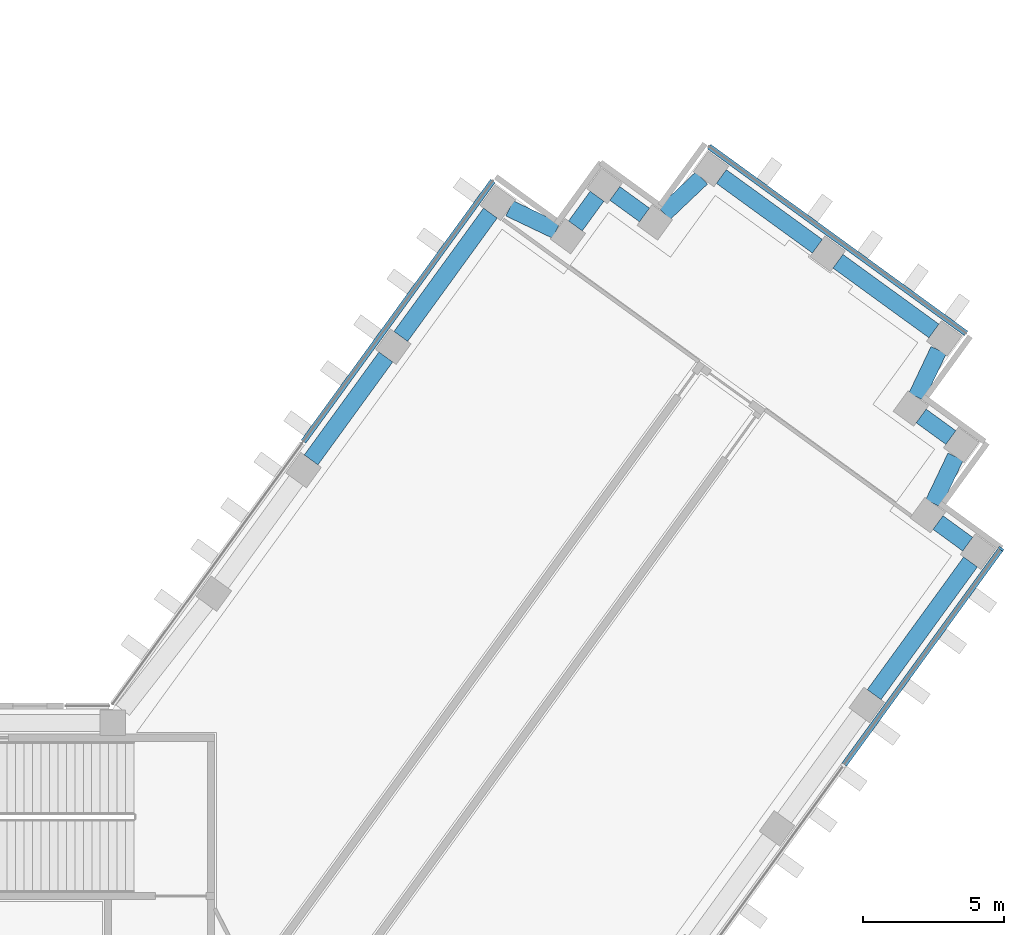
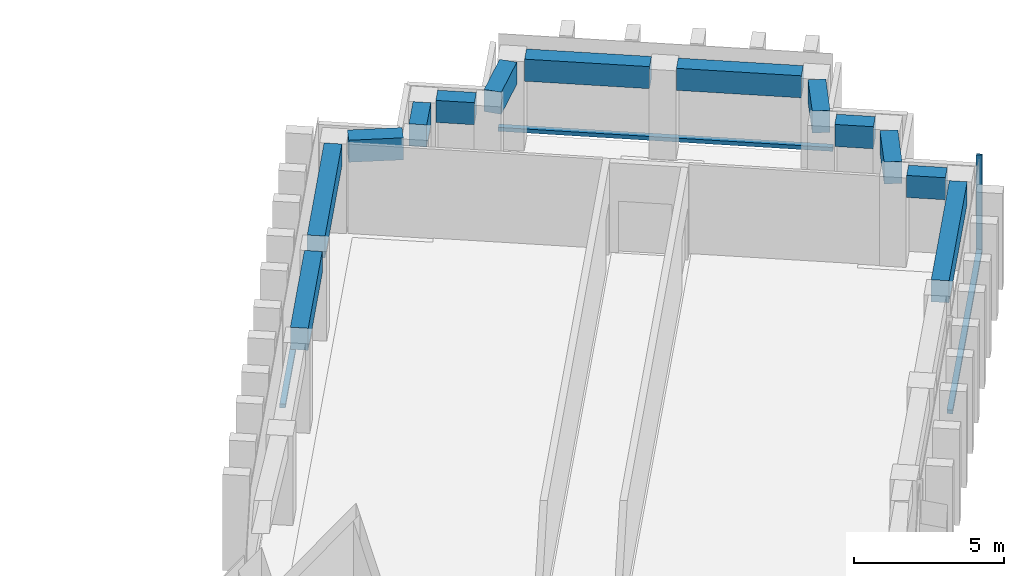
"""IFC4 building model written with IfcOpenShell, lengths in metres."""

from ifc_helpers import new_model, si_unit, direction, frame, origin, origin_2d, place, context, subcontext, project, spatial, rectangle, extrude, material, material_profile, profile_set, type_object, element, aggregate, save


model = new_model("IFC4")

# Units and contexts
model_context = context("Model", 3, precision=1e-05, world=origin(), true_north=direction((0.0, 1.0)))
body_context = subcontext(model_context, "Body", "Model", "MODEL_VIEW")
ifc_project = project(units=[si_unit("LENGTHUNIT", "METRE"), si_unit("AREAUNIT", "SQUARE_METRE"), si_unit("VOLUMEUNIT", "CUBIC_METRE"), si_unit("PLANEANGLEUNIT", "RADIAN"), si_unit("MASSUNIT", "GRAM", prefix="KILO")], contexts=[model_context])

# Site, building, storey
site_placement = place(None, origin())
site = spatial("IfcSite", under=ifc_project, at=site_placement, CompositionType="ELEMENT")
building_placement = place(site_placement, origin())
building = spatial("IfcBuilding", under=site, at=building_placement, Name="Quipu Civic Tower", CompositionType="ELEMENT")
storey_1_placement = place(building_placement, frame((0.0, 0.0, 85.0)))
storey_1 = spatial("IfcBuildingStorey", under=building, at=storey_1_placement, Name="L19", CompositionType="ELEMENT", Elevation=85.0)

# Curtain wall, member
ifc_material_1 = material(Name="Insulated glass unit", Category="glass")
curtain_wall_type = type_object("IfcCurtainWallType", Name="Office curtain wall CW1", PredefinedType="NOTDEFINED", material=ifc_material_1)
curtain_wall_1_placement = place(storey_1_placement, origin())
curtain_wall_1 = element("IfcCurtainWall", 1, at=curtain_wall_1_placement, inside=storey_1, type_object=curtain_wall_type, Name="Office curtain wall CW1 L19 run 1", PredefinedType="NOTDEFINED")
ifc_material_2 = material(Name="Anodised aluminium", Category="aluminium")
ifc_material_profile_1 = material_profile(ifc_material_2, rectangle(XDim=0.199951171875, YDim=0.080078125, at=origin_2d()), Name="RECT 200x80")
ifc_profile_set_1 = profile_set([ifc_material_profile_1], Name="Anodised aluminium")
member_type_1 = type_object("IfcMemberType", Name="Mullion CW1", PredefinedType="MULLION", material=ifc_profile_set_1)
member_1_placement = place(storey_1_placement, frame((45.825927734375, 16.661865234375, 0.080078125), z_axis=(0.0, 0.0, 1.0), x_axis=(-0.809016904652, 0.587785375786, 0.0)))
member_1 = element("IfcMember", 2, at=member_1_placement, type_object=member_type_1, Name="CW1 mullion 4", PredefinedType="MULLION", context=body_context, shape_type="SweptSolid", body=[
    extrude(rectangle(XDim=0.199951171875, YDim=0.080078125, at=origin_2d()), origin(), (0.0, 0.0, 1.0), 4.0),
])

# Beams
ifc_material_3 = material(Name="Concrete C50/60", Category="concrete")
ifc_material_profile_2 = material_profile(ifc_material_3, rectangle(XDim=0.60009765625, YDim=0.89990234375, at=origin_2d()), Name="RC600x900")
ifc_profile_set_2 = profile_set([ifc_material_profile_2], Name="Concrete C50/60")
beam_type = type_object("IfcBeamType", Name="Spandrel beam RC 600x900 C50/60", PredefinedType="SPANDREL", material=ifc_profile_set_2)
beam_1_placement = place(storey_1_placement, frame((41.3349609375, 11.50146484375, 3.199951171875), z_axis=(0.587766353983, 0.809030724463, 0.0), x_axis=(-0.809030724463, 0.587766353983, 0.0)))
element("IfcBeam", 3, at=beam_1_placement, inside=storey_1, type_object=beam_type, Name="Spandrel beam L19 E-OUT-04 to T-Eo.0-E34", PredefinedType="SPANDREL", context=body_context, shape_type="SweptSolid", body=[
    extrude(rectangle(XDim=0.60009765625, YDim=0.89990234375, at=origin_2d()), origin(), (0.0, 0.0, 1.0), 5.802734375),
])
beam_2_placement = place(storey_1_placement, frame((44.646240234375, 16.82470703125, 3.199951171875), z_axis=(-0.808524921146, 0.588461937499, 0.0), x_axis=(-0.588461937499, -0.808524921146, 0.0)))
element("IfcBeam", 4, at=beam_2_placement, inside=storey_1, type_object=beam_type, Name="Spandrel beam L19 T-Eo.0-E34 to T-Eo.1-E34", PredefinedType="SPANDREL", context=body_context, shape_type="SweptSolid", body=[
    extrude(rectangle(XDim=0.60009765625, YDim=0.89990234375, at=origin_2d()), origin(), (0.0, 0.0, 1.0), 1.30029296875),
])
beam_3_placement = place(storey_1_placement, frame((43.42822265625, 18.267578125, 3.199951171875), z_axis=(0.430677818234, 0.902505743406, 0.0), x_axis=(-0.902505743406, 0.430677818234, 0.0)))
element("IfcBeam", 5, at=beam_3_placement, inside=storey_1, type_object=beam_type, Name="Spandrel beam L19 T-Eo.1-E34 to T-Eo.2-E34", PredefinedType="SPANDREL", context=body_context, shape_type="SweptSolid", body=[
    extrude(rectangle(XDim=0.60009765625, YDim=0.89990234375, at=origin_2d()), origin(), (0.0, 0.0, 1.0), 1.833251953125),
])
beam_4_placement = place(storey_1_placement, frame((44.05078125, 20.59912109375, 3.199951171875), z_axis=(-0.809393823939, 0.587266240959, 0.0), x_axis=(-0.587266240959, -0.809393823939, 0.0)))
element("IfcBeam", 6, at=beam_4_placement, inside=storey_1, type_object=beam_type, Name="Spandrel beam L19 T-Eo.2-E34 to T-Eo.3-E34", PredefinedType="SPANDREL", context=body_context, shape_type="SweptSolid", body=[
    extrude(rectangle(XDim=0.60009765625, YDim=0.89990234375, at=origin_2d()), origin(), (0.0, 0.0, 1.0), 1.299072265625),
])
beam_5_placement = place(storey_1_placement, frame((42.83154296875, 22.03955078125, 3.199951171875), z_axis=(0.429892146977, 0.902880247856, 0.0), x_axis=(-0.902880247856, 0.429892146977, 0.0)))
element("IfcBeam", 7, at=beam_5_placement, inside=storey_1, type_object=beam_type, Name="Spandrel beam L19 T-Eo.3-E34 to T-Eo.4-E34", PredefinedType="SPANDREL", context=body_context, shape_type="SweptSolid", body=[
    extrude(rectangle(XDim=0.60009765625, YDim=0.89990234375, at=origin_2d()), origin(), (0.0, 0.0, 1.0), 1.829833984375),
])
beam_6_placement = place(storey_1_placement, frame((43.450927734375, 24.36962890625, 3.199951171875), z_axis=(-0.808987489375, 0.587825860298, 0.0), x_axis=(-0.587825860298, -0.808987489375, 0.0)))
element("IfcBeam", 8, at=beam_6_placement, inside=storey_1, type_object=beam_type, Name="Spandrel beam L19 T-Eo.4-E34 to TIP-E-01-E34", PredefinedType="SPANDREL", context=body_context, shape_type="SweptSolid", body=[
    extrude(rectangle(XDim=0.60009765625, YDim=0.89990234375, at=origin_2d()), origin(), (0.0, 0.0, 1.0), 4.1982421875),
])
beam_7_placement = place(storey_1_placement, frame((39.32666015625, 27.366455078125, 3.199951171875), z_axis=(-0.808969789945, 0.58785021813, 0.0), x_axis=(-0.58785021813, -0.808969789945, 0.0)))
element("IfcBeam", 9, at=beam_7_placement, inside=storey_1, type_object=beam_type, Name="Spandrel beam L19 TIP-E-01-E34 to T-Ei.0-E34", PredefinedType="SPANDREL", context=body_context, shape_type="SweptSolid", body=[
    extrude(rectangle(XDim=0.60009765625, YDim=0.89990234375, at=origin_2d()), origin(), (0.0, 0.0, 1.0), 4.199951171875),
])
beam_8_placement = place(storey_1_placement, frame((35.233154296875, 29.784912109375, 3.199951171875), z_axis=(-0.725209203815, -0.688528583795, 0.0), x_axis=(0.688528583795, -0.725209203815, 0.0)))
element("IfcBeam", 10, at=beam_8_placement, inside=storey_1, type_object=beam_type, Name="Spandrel beam L19 T-Ei.0-E34 to T-Ei.1-E34", PredefinedType="SPANDREL", context=body_context, shape_type="SweptSolid", body=[
    extrude(rectangle(XDim=0.60009765625, YDim=0.89990234375, at=origin_2d()), origin(), (0.0, 0.0, 1.0), 1.830322265625),
])
beam_9_placement = place(storey_1_placement, frame((33.209716796875, 28.4736328125, 3.199951171875), z_axis=(-0.809402563526, 0.587254195521, 0.0), x_axis=(-0.587254195521, -0.809402563526, 0.0)))
element("IfcBeam", 11, at=beam_9_placement, inside=storey_1, type_object=beam_type, Name="Spandrel beam L19 T-Ei.1-E34 to T-Ei.2-E34", PredefinedType="SPANDREL", context=body_context, shape_type="SweptSolid", body=[
    extrude(rectangle(XDim=0.60009765625, YDim=0.89990234375, at=origin_2d()), origin(), (0.0, 0.0, 1.0), 1.2978515625),
])
beam_10_placement = place(storey_1_placement, frame((31.52978515625, 29.136474609375, 3.199951171875), z_axis=(-0.589187485143, -0.80799635355, 0.0), x_axis=(0.80799635355, -0.589187485143, 0.0)))
element("IfcBeam", 12, at=beam_10_placement, inside=storey_1, type_object=beam_type, Name="Spandrel beam L19 T-Ei.2-E34 to T-Ei.3-E34", PredefinedType="SPANDREL", context=body_context, shape_type="SweptSolid", body=[
    extrude(rectangle(XDim=0.60009765625, YDim=0.89990234375, at=origin_2d()), origin(), (0.0, 0.0, 1.0), 1.2998046875),
])
beam_11_placement = place(storey_1_placement, frame((30.085693359375, 27.919677734375, 3.199951171875), z_axis=(-0.902567013751, 0.430549399823, 0.0), x_axis=(-0.430549399823, -0.902567013751, 0.0)))
element("IfcBeam", 13, at=beam_11_placement, inside=storey_1, type_object=beam_type, Name="Spandrel beam L19 T-Ei.3-E34 to T-Ei.4-E34", PredefinedType="SPANDREL", context=body_context, shape_type="SweptSolid", body=[
    extrude(rectangle(XDim=0.60009765625, YDim=0.89990234375, at=origin_2d()), origin(), (0.0, 0.0, 1.0), 1.8310546875),
])
beam_12_placement = place(storey_1_placement, frame((27.755615234375, 28.541015625, 3.199951171875), z_axis=(-0.58767640123, -0.809096068114, 0.0), x_axis=(0.809096068114, -0.58767640123, 0.0)))
element("IfcBeam", 14, at=beam_12_placement, inside=storey_1, type_object=beam_type, Name="Spandrel beam L19 T-Ei.4-E34 to E-IN-03", PredefinedType="SPANDREL", context=body_context, shape_type="SweptSolid", body=[
    extrude(rectangle(XDim=0.60009765625, YDim=0.89990234375, at=origin_2d()), origin(), (0.0, 0.0, 1.0), 5.39404296875),
])
beam_13_placement = place(storey_1_placement, frame((24.056884765625, 23.448486328125, 3.199951171875), z_axis=(-0.587778073121, -0.809022210299, 0.0), x_axis=(0.809022210299, -0.587778073121, 0.0)))
element("IfcBeam", 15, at=beam_13_placement, inside=storey_1, type_object=beam_type, Name="Spandrel beam L19 E-IN-03 to E-IN-02", PredefinedType="SPANDREL", context=body_context, shape_type="SweptSolid", body=[
    extrude(rectangle(XDim=0.60009765625, YDim=0.89990234375, at=origin_2d()), origin(), (0.0, 0.0, 1.0), 4.5),
])

# Member
ifc_material_4 = material(Name="Anodised aluminium", Category="aluminium")
ifc_material_profile_3 = material_profile(ifc_material_4, rectangle(XDim=0.199951171875, YDim=0.159912109375, at=origin_2d()), Name="RECT 200x160")
ifc_profile_set_3 = profile_set([ifc_material_profile_3], Name="Anodised aluminium")
member_type_2 = type_object("IfcMemberType", Name="Transom CW1", PredefinedType="USERDEFINED", material=ifc_profile_set_3)
member_2_placement = place(storey_1_placement, frame((40.275146484375, 9.02197265625, 0.159912109375), z_axis=(0.58778879159, 0.809014422913, 0.0), x_axis=(-0.809014422913, 0.58778879159, 0.0)))
member_2 = element("IfcMember", 16, at=member_2_placement, type_object=member_type_2, Name="CW1 transom 3.1", ObjectType="TRANSOM", PredefinedType="USERDEFINED", context=body_context, shape_type="SweptSolid", body=[
    extrude(rectangle(XDim=0.199951171875, YDim=0.159912109375, at=origin_2d()), origin(), (0.0, 0.0, 1.0), 9.403564453125),
])

aggregate(curtain_wall_1, [member_1, member_2])

# Storey
storey_2_placement = place(building_placement, frame((0.0, 0.0, 89.0)))
storey_2 = spatial("IfcBuildingStorey", under=building, at=storey_2_placement, Name="L20", CompositionType="ELEMENT", Elevation=89.0)

# Curtain wall, member
curtain_wall_2_placement = place(storey_2_placement, origin())
curtain_wall_2 = element("IfcCurtainWall", 17, at=curtain_wall_2_placement, inside=storey_2, type_object=curtain_wall_type, Name="Office curtain wall CW1 L19 run 6", PredefinedType="NOTDEFINED")
member_3_placement = place(storey_1_placement, frame((44.590087890625, 24.2841796875, 0.159912109375), z_axis=(-0.809014959561, 0.587788052963, 0.0), x_axis=(-0.587788052963, -0.809014959561, 0.0)))
member_3 = element("IfcMember", 18, at=member_3_placement, inside=storey_1, type_object=member_type_2, Name="CW1 transom 1.1", ObjectType="TRANSOM", PredefinedType="USERDEFINED", context=body_context, shape_type="SweptSolid", body=[
    extrude(rectangle(XDim=0.199951171875, YDim=0.159912109375, at=origin_2d()), origin(), (0.0, 0.0, 1.0), 11.239990234375),
])
aggregate(curtain_wall_2, [member_3])

curtain_wall_3_placement = place(storey_2_placement, origin())
curtain_wall_3 = element("IfcCurtainWall", 19, at=curtain_wall_3_placement, inside=storey_2, type_object=curtain_wall_type, Name="Office curtain wall CW1 L19 run 11", PredefinedType="NOTDEFINED")
member_4_placement = place(storey_1_placement, frame((27.84228515625, 29.678466796875, 0.159912109375), z_axis=(-0.587775682251, -0.809023947331, 0.0), x_axis=(0.809023947331, -0.587775682251, 0.0)))
member_4 = element("IfcMember", 20, at=member_4_placement, inside=storey_1, type_object=member_type_2, Name="CW1 transom 1.1", ObjectType="TRANSOM", PredefinedType="USERDEFINED", context=body_context, shape_type="SweptSolid", body=[
    extrude(rectangle(XDim=0.199951171875, YDim=0.159912109375, at=origin_2d()), origin(), (0.0, 0.0, 1.0), 11.402099609375),
])
aggregate(curtain_wall_3, [member_4])

save(model, "model.ifc")
